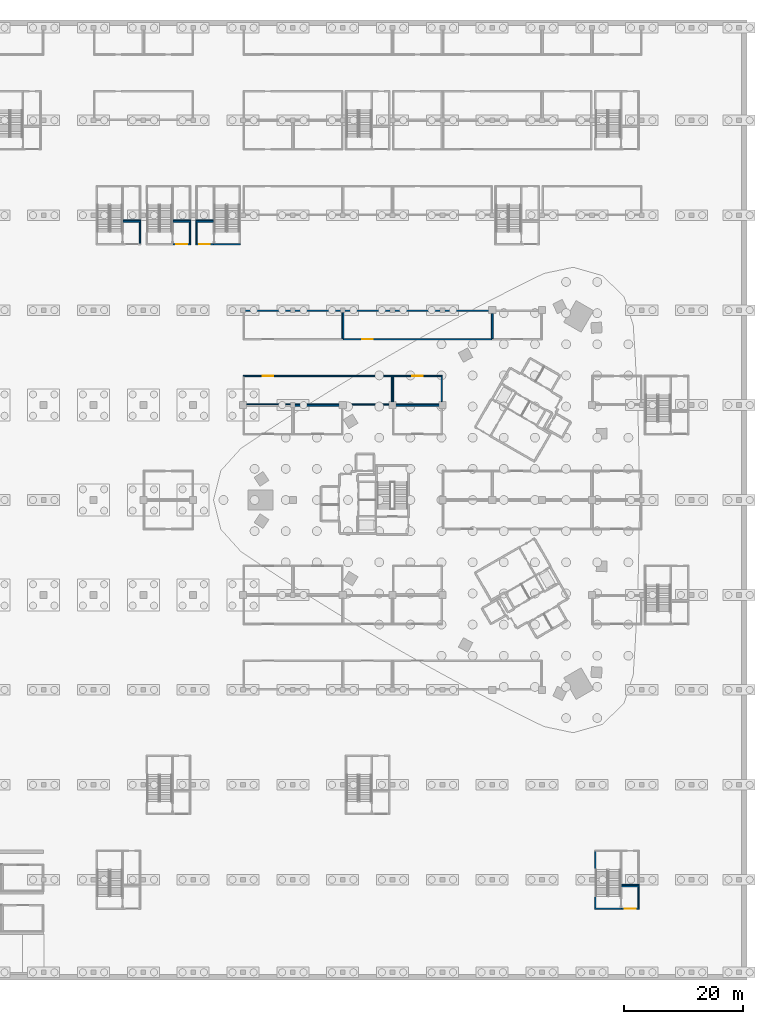
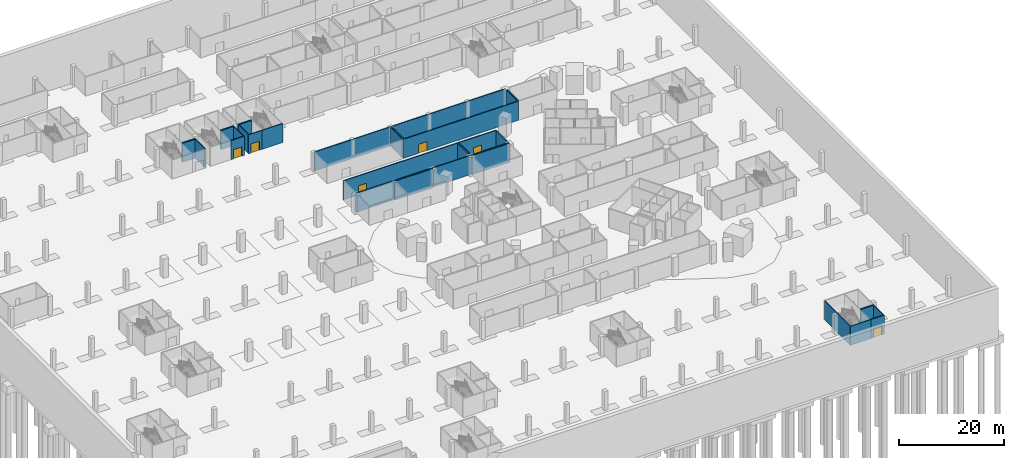
# One storey, part 15 of 46: 34 walls, 6 doors, 6 openings.
"""IFC4 building model written with IfcOpenShell, lengths in metres."""

from ifc_helpers import new_model, si_unit, direction, frame, frame_2d, origin, place, context, subcontext, project, spatial, rectangle, extrude, material, layer, layer_set, type_object, element, fill, save


model = new_model("IFC4")

# Units and contexts
model_context = context("Model", 3, precision=1e-05, world=origin(), true_north=direction((0.0, 1.0)))
body_context = subcontext(model_context, "Body", "Model", "MODEL_VIEW")
ifc_project = project(units=[si_unit("LENGTHUNIT", "METRE"), si_unit("AREAUNIT", "SQUARE_METRE"), si_unit("VOLUMEUNIT", "CUBIC_METRE"), si_unit("PLANEANGLEUNIT", "RADIAN"), si_unit("MASSUNIT", "GRAM", prefix="KILO")], contexts=[model_context])

# Site, building, storey
site_placement = place(None, origin())
site = spatial("IfcSite", under=ifc_project, at=site_placement, CompositionType="ELEMENT")
building_placement = place(site_placement, origin())
building = spatial("IfcBuilding", under=site, at=building_placement, Name="Tamra Quay Hotel Tower", CompositionType="ELEMENT")
storey_placement = place(building_placement, frame((0.0, 0.0, -12.0)))
storey = spatial("IfcBuildingStorey", under=building, at=storey_placement, Name="B3", CompositionType="ELEMENT", Elevation=-12.0)

# Walls
ifc_material_1 = material(Name="Blockwork", Category="masonry")
ifc_layer_1 = layer(ifc_material_1, 0.199951171875)
ifc_layer_set_1 = layer_set([ifc_layer_1], Name="Car park room wall 200")
wall_type_1 = type_object("IfcWallType", Name="Car park room wall 200", PredefinedType="PARTITIONING", material=ifc_layer_set_1)
wall_1_placement = place(storey_placement, frame((-30.300048828125, 15.89990234375, 0.0), z_axis=(0.0, 0.0, 1.0), x_axis=(1.0, 0.0, 0.0)))
element("IfcWall", 1, at=wall_1_placement, inside=storey, type_object=wall_type_1, Name="PW", PredefinedType="PARTITIONING", context=body_context, shape_type="SweptSolid", body=[
    extrude(rectangle(XDim=8.400146484375, YDim=0.199951171875, at=frame_2d((4.2001953125, 0.0))), origin(), (0.0, 0.0, 1.0), 4.39990234375),
])
wall_2_placement = place(storey_placement, frame((-13.5, 15.89990234375, 0.0), z_axis=(0.0, 0.0, 1.0), x_axis=(1.0, 0.0, 0.0)))
element("IfcWall", 2, at=wall_2_placement, inside=storey, type_object=wall_type_1, Name="PW", PredefinedType="PARTITIONING", context=body_context, shape_type="SweptSolid", body=[
    extrude(rectangle(XDim=8.39990234375, YDim=0.199951171875, at=frame_2d((4.199951171875, 0.0))), origin(), (0.0, 0.0, 1.0), 4.39990234375),
])
wall_3_placement = place(storey_placement, frame((-38.699951171875, 16.10009765625, 0.0), z_axis=(0.0, 0.0, 1.0), x_axis=(1.0, 0.0, 0.0)))
element("IfcWall", 3, at=wall_3_placement, inside=storey, type_object=wall_type_1, Name="PW", PredefinedType="PARTITIONING", context=body_context, shape_type="SweptSolid", body=[
    extrude(rectangle(XDim=25.199951171875, YDim=0.199951171875, at=frame_2d((12.60009765625, 0.0))), origin(), (0.0, 0.0, 1.0), 4.39990234375),
])

# Wall, opening, door
wall_4_placement = place(storey_placement, frame((-38.699951171875, 20.89990234375, 0.0), z_axis=(0.0, 0.0, 1.0), x_axis=(1.0, 0.0, 0.0)))
wall_4 = element("IfcWall", 4, at=wall_4_placement, inside=storey, type_object=wall_type_1, Name="PW", PredefinedType="PARTITIONING", context=body_context, shape_type="SweptSolid", body=[
    extrude(rectangle(XDim=25.199951171875, YDim=0.199951171875, at=frame_2d((12.60009765625, 0.0))), origin(), (0.0, 0.0, 1.0), 4.39990234375),
])
opening_1_placement = place(wall_4_placement, frame((3.300048828125, 0.0, 0.0)))
opening_1 = element("IfcOpeningElement", 5, at=opening_1_placement, cuts=wall_4, Name="Opening PD2", PredefinedType="OPENING", context=body_context, shape_type="SweptSolid", body=[
    extrude(rectangle(XDim=1.800048828125, YDim=2.10009765625, at=frame_2d((0.89990234375, 1.050048828125))), frame((0.0, 0.10986328125, 0.0), z_axis=(0.0, -1.0, 0.0), x_axis=(1.0, 0.0, 0.0)), (0.0, 0.0, 1.0), 0.219970703125),
])
ifc_material_2 = material(Name="Plant door 1800 x 2100")
door_type = type_object("IfcDoorType", Name="Plant door 1800 x 2100", OperationType="DOUBLE_DOOR_SINGLE_SWING", PredefinedType="DOOR", material=ifc_material_2)
door_1_placement = place(opening_1_placement, origin())
door_1 = element("IfcDoor", 6, at=door_1_placement, inside=storey, type_object=door_type, Name="PD2", OperationType="DOUBLE_DOOR_SINGLE_SWING", OverallHeight=2.10009765625, OverallWidth=1.800048828125, PredefinedType="DOOR", context=body_context, shape_type="SweptSolid", body=[
    extrude(rectangle(XDim=1.800048828125, YDim=2.10009765625, at=frame_2d((0.89990234375, 1.050048828125))), frame((0.0, 0.02490234375, 0.0), z_axis=(0.0, -1.0, 0.0), x_axis=(1.0, 0.0, 0.0)), (0.0, 0.0, 1.0), 0.050048828125),
])
fill(opening_1, door_1)

# Walls
wall_5_placement = place(storey_placement, frame((-13.60009765625, 16.60009765625, 0.0), z_axis=(0.0, 0.0, 1.0), x_axis=(0.0, 1.0, 0.0)))
element("IfcWall", 7, at=wall_5_placement, inside=storey, type_object=wall_type_1, Name="PW", PredefinedType="PARTITIONING", context=body_context, shape_type="SweptSolid", body=[
    extrude(rectangle(XDim=4.199951171875, YDim=0.199951171875, at=frame_2d((2.10009765625, 0.0))), origin(), (0.0, 0.0, 1.0), 4.39990234375),
])
wall_6_placement = place(storey_placement, frame((-13.5, 16.10009765625, 0.0), z_axis=(0.0, 0.0, 1.0), x_axis=(1.0, 0.0, 0.0)))
element("IfcWall", 8, at=wall_6_placement, inside=storey, type_object=wall_type_1, Name="PW", PredefinedType="PARTITIONING", context=body_context, shape_type="SweptSolid", body=[
    extrude(rectangle(XDim=8.39990234375, YDim=0.199951171875, at=frame_2d((4.199951171875, 0.0))), origin(), (0.0, 0.0, 1.0), 4.39990234375),
])

# Wall, opening, door
wall_7_placement = place(storey_placement, frame((-13.5, 20.89990234375, 0.0), z_axis=(0.0, 0.0, 1.0), x_axis=(1.0, 0.0, 0.0)))
wall_7 = element("IfcWall", 9, at=wall_7_placement, inside=storey, type_object=wall_type_1, Name="PW", PredefinedType="PARTITIONING", context=body_context, shape_type="SweptSolid", body=[
    extrude(rectangle(XDim=8.39990234375, YDim=0.199951171875, at=frame_2d((4.199951171875, 0.0))), origin(), (0.0, 0.0, 1.0), 4.39990234375),
])
opening_2_placement = place(wall_7_placement, frame((3.300048828125, 0.0, 0.0)))
opening_2 = element("IfcOpeningElement", 10, at=opening_2_placement, cuts=wall_7, Name="Opening PD2", PredefinedType="OPENING", context=body_context, shape_type="SweptSolid", body=[
    extrude(rectangle(XDim=1.800048828125, YDim=2.10009765625, at=frame_2d((0.89990234375, 1.050048828125))), frame((0.0, 0.10986328125, 0.0), z_axis=(0.0, -1.0, 0.0), x_axis=(1.0, 0.0, 0.0)), (0.0, 0.0, 1.0), 0.219970703125),
])
door_2_placement = place(opening_2_placement, origin())
door_2 = element("IfcDoor", 11, at=door_2_placement, inside=storey, type_object=door_type, Name="PD2", OperationType="DOUBLE_DOOR_SINGLE_SWING", OverallHeight=2.10009765625, OverallWidth=1.800048828125, PredefinedType="DOOR", context=body_context, shape_type="SweptSolid", body=[
    extrude(rectangle(XDim=1.800048828125, YDim=2.10009765625, at=frame_2d((0.89990234375, 1.050048828125))), frame((0.0, 0.02490234375, 0.0), z_axis=(0.0, -1.0, 0.0), x_axis=(1.0, 0.0, 0.0)), (0.0, 0.0, 1.0), 0.050048828125),
])
fill(opening_2, door_2)

# Walls
for number, where, z_axis, x_axis, name in (
    (12, (-13.39990234375, 16.60009765625, 0.0), (0.0, 0.0, 1.0), (0.0, 1.0, 0.0), "PW"),
    (13, (-5.199951171875, 16.60009765625, 0.0), (0.0, 0.0, 1.0), (0.0, 1.0, 0.0), "PW"),
):
    element("IfcWall", number, at=place(storey_placement, frame(where, z_axis=z_axis, x_axis=x_axis)), inside=storey, type_object=wall_type_1, Name=name, PredefinedType="PARTITIONING", context=body_context, shape_type="SweptSolid", body=[
        extrude(rectangle(XDim=4.199951171875, YDim=0.199951171875, at=frame_2d((2.10009765625, 0.0))), origin(), (0.0, 0.0, 1.0), 4.39990234375),
    ])
wall_8_placement = place(storey_placement, frame((-38.699951171875, 31.89990234375, 0.0), z_axis=(0.0, 0.0, 1.0), x_axis=(1.0, 0.0, 0.0)))
element("IfcWall", 14, at=wall_8_placement, inside=storey, type_object=wall_type_1, Name="PW", PredefinedType="PARTITIONING", context=body_context, shape_type="SweptSolid", body=[
    extrude(rectangle(XDim=16.800048828125, YDim=0.199951171875, at=frame_2d((8.39990234375, 0.0))), origin(), (0.0, 0.0, 1.0), 4.39990234375),
])
wall_9_placement = place(storey_placement, frame((-22.0, 27.199951171875, 0.0), z_axis=(0.0, 0.0, 1.0), x_axis=(0.0, 1.0, 0.0)))
element("IfcWall", 15, at=wall_9_placement, inside=storey, type_object=wall_type_1, Name="PW", PredefinedType="PARTITIONING", context=body_context, shape_type="SweptSolid", body=[
    extrude(rectangle(XDim=4.400146484375, YDim=0.199951171875, at=frame_2d((2.2001953125, 0.0))), origin(), (0.0, 0.0, 1.0), 4.39990234375),
])

# Wall, opening, door
wall_10_placement = place(storey_placement, frame((-21.89990234375, 27.10009765625, 0.0), z_axis=(0.0, 0.0, 1.0), x_axis=(1.0, 0.0, 0.0)))
wall_10 = element("IfcWall", 16, at=wall_10_placement, inside=storey, type_object=wall_type_1, Name="PW", PredefinedType="PARTITIONING", context=body_context, shape_type="SweptSolid", body=[
    extrude(rectangle(XDim=25.199951171875, YDim=0.199951171875, at=frame_2d((12.60009765625, 0.0))), origin(), (0.0, 0.0, 1.0), 4.39990234375),
])
opening_3_placement = place(wall_10_placement, frame((3.300048828125, 0.0, 0.0)))
opening_3 = element("IfcOpeningElement", 17, at=opening_3_placement, cuts=wall_10, Name="Opening PD2", PredefinedType="OPENING", context=body_context, shape_type="SweptSolid", body=[
    extrude(rectangle(XDim=1.800048828125, YDim=2.10009765625, at=frame_2d((0.89990234375, 1.050048828125))), frame((0.0, 0.10986328125, 0.0), z_axis=(0.0, -1.0, 0.0), x_axis=(1.0, 0.0, 0.0)), (0.0, 0.0, 1.0), 0.219970703125),
])
door_3_placement = place(opening_3_placement, origin())
door_3 = element("IfcDoor", 18, at=door_3_placement, inside=storey, type_object=door_type, Name="PD2", OperationType="DOUBLE_DOOR_SINGLE_SWING", OverallHeight=2.10009765625, OverallWidth=1.800048828125, PredefinedType="DOOR", context=body_context, shape_type="SweptSolid", body=[
    extrude(rectangle(XDim=1.800048828125, YDim=2.10009765625, at=frame_2d((0.89990234375, 1.050048828125))), frame((0.0, 0.02490234375, 0.0), z_axis=(0.0, -1.0, 0.0), x_axis=(1.0, 0.0, 0.0)), (0.0, 0.0, 1.0), 0.050048828125),
])
fill(opening_3, door_3)

# Walls
wall_11_placement = place(storey_placement, frame((-21.89990234375, 31.89990234375, 0.0), z_axis=(0.0, 0.0, 1.0), x_axis=(1.0, 0.0, 0.0)))
element("IfcWall", 19, at=wall_11_placement, inside=storey, type_object=wall_type_1, Name="PW", PredefinedType="PARTITIONING", context=body_context, shape_type="SweptSolid", body=[
    extrude(rectangle(XDim=25.199951171875, YDim=0.199951171875, at=frame_2d((12.60009765625, 0.0))), origin(), (0.0, 0.0, 1.0), 4.39990234375),
])
wall_12_placement = place(storey_placement, frame((-21.800048828125, 27.199951171875, 0.0), z_axis=(0.0, 0.0, 1.0), x_axis=(0.0, 1.0, 0.0)))
element("IfcWall", 20, at=wall_12_placement, inside=storey, type_object=wall_type_1, Name="PW", PredefinedType="PARTITIONING", context=body_context, shape_type="SweptSolid", body=[
    extrude(rectangle(XDim=4.400146484375, YDim=0.199951171875, at=frame_2d((2.2001953125, 0.0))), origin(), (0.0, 0.0, 1.0), 4.39990234375),
])
for number, where, z_axis, x_axis, name in (
    (21, (3.199951171875, 27.199951171875, 0.0), (0.0, 0.0, 1.0), (0.0, 1.0, 0.0), "PW"),
    (22, (3.39990234375, 27.199951171875, 0.0), (0.0, 0.0, 1.0), (0.0, 1.0, 0.0), "PW"),
):
    element("IfcWall", number, at=place(storey_placement, frame(where, z_axis=z_axis, x_axis=x_axis)), inside=storey, type_object=wall_type_1, Name=name, PredefinedType="PARTITIONING", context=body_context, shape_type="SweptSolid", body=[
        extrude(rectangle(XDim=4.199951171875, YDim=0.199951171875, at=frame_2d((2.10009765625, 0.0))), origin(), (0.0, 0.0, 1.0), 4.39990234375),
    ])
wall_13_placement = place(storey_placement, frame((-58.89990234375, 46.89990234375, 0.0), z_axis=(0.0, 0.0, 1.0), x_axis=(1.0, 0.0, 0.0)))
element("IfcWall", 23, at=wall_13_placement, inside=storey, type_object=wall_type_1, Name="PW", PredefinedType="PARTITIONING", context=body_context, shape_type="SweptSolid", body=[
    extrude(rectangle(XDim=2.949951171875, YDim=0.199951171875, at=frame_2d((1.47509765625, 0.0))), origin(), (0.0, 0.0, 1.0), 4.39990234375),
])
wall_14_placement = place(storey_placement, frame((-56.050048828125, 43.199951171875, 0.0), z_axis=(0.0, 0.0, 1.0), x_axis=(0.0, 1.0, 0.0)))
element("IfcWall", 24, at=wall_14_placement, inside=storey, type_object=wall_type_1, Name="PW", PredefinedType="PARTITIONING", context=body_context, shape_type="SweptSolid", body=[
    extrude(rectangle(XDim=3.60009765625, YDim=0.199951171875, at=frame_2d((1.800048828125, 0.0))), origin(), (0.0, 0.0, 1.0), 4.39990234375),
])
wall_15_placement = place(storey_placement, frame((-58.89990234375, 47.10009765625, 0.0), z_axis=(0.0, 0.0, 1.0), x_axis=(1.0, 0.0, 0.0)))
element("IfcWall", 25, at=wall_15_placement, inside=storey, type_object=wall_type_1, Name="PW", PredefinedType="PARTITIONING", context=body_context, shape_type="SweptSolid", body=[
    extrude(rectangle(XDim=2.949951171875, YDim=0.199951171875, at=frame_2d((1.47509765625, 0.0))), origin(), (0.0, 0.0, 1.0), 4.39990234375),
])

# Wall, opening, door
wall_16_placement = place(storey_placement, frame((-50.5, 43.10009765625, 0.0), z_axis=(0.0, 0.0, 1.0), x_axis=(1.0, 0.0, 0.0)))
wall_16 = element("IfcWall", 26, at=wall_16_placement, inside=storey, type_object=wall_type_1, Name="PW", PredefinedType="PARTITIONING", context=body_context, shape_type="SweptSolid", body=[
    extrude(rectangle(XDim=2.949951171875, YDim=0.199951171875, at=frame_2d((1.47509765625, 0.0))), origin(), (0.0, 0.0, 1.0), 4.39990234375),
])
opening_4_placement = place(wall_16_placement, frame((0.574951171875, 0.0, 0.0)))
opening_4 = element("IfcOpeningElement", 27, at=opening_4_placement, cuts=wall_16, Name="Opening PD2", PredefinedType="OPENING", context=body_context, shape_type="SweptSolid", body=[
    extrude(rectangle(XDim=1.800048828125, YDim=2.10009765625, at=frame_2d((0.89990234375, 1.050048828125))), frame((0.0, 0.10986328125, 0.0), z_axis=(0.0, -1.0, 0.0), x_axis=(1.0, 0.0, 0.0)), (0.0, 0.0, 1.0), 0.219970703125),
])
door_4_placement = place(opening_4_placement, origin())
door_4 = element("IfcDoor", 28, at=door_4_placement, inside=storey, type_object=door_type, Name="PD2", OperationType="DOUBLE_DOOR_SINGLE_SWING", OverallHeight=2.10009765625, OverallWidth=1.800048828125, PredefinedType="DOOR", context=body_context, shape_type="SweptSolid", body=[
    extrude(rectangle(XDim=1.800048828125, YDim=2.10009765625, at=frame_2d((0.89990234375, 1.050048828125))), frame((0.0, 0.02490234375, 0.0), z_axis=(0.0, -1.0, 0.0), x_axis=(1.0, 0.0, 0.0)), (0.0, 0.0, 1.0), 0.050048828125),
])
fill(opening_4, door_4)

# Walls
wall_17_placement = place(storey_placement, frame((-50.5, 46.89990234375, 0.0), z_axis=(0.0, 0.0, 1.0), x_axis=(1.0, 0.0, 0.0)))
element("IfcWall", 29, at=wall_17_placement, inside=storey, type_object=wall_type_1, Name="PW", PredefinedType="PARTITIONING", context=body_context, shape_type="SweptSolid", body=[
    extrude(rectangle(XDim=2.949951171875, YDim=0.199951171875, at=frame_2d((1.47509765625, 0.0))), origin(), (0.0, 0.0, 1.0), 4.39990234375),
])
wall_18_placement = place(storey_placement, frame((-47.64990234375, 43.199951171875, 0.0), z_axis=(0.0, 0.0, 1.0), x_axis=(0.0, 1.0, 0.0)))
element("IfcWall", 30, at=wall_18_placement, inside=storey, type_object=wall_type_1, Name="PW", PredefinedType="PARTITIONING", context=body_context, shape_type="SweptSolid", body=[
    extrude(rectangle(XDim=3.60009765625, YDim=0.199951171875, at=frame_2d((1.800048828125, 0.0))), origin(), (0.0, 0.0, 1.0), 4.39990234375),
])
wall_19_placement = place(storey_placement, frame((-50.5, 47.10009765625, 0.0), z_axis=(0.0, 0.0, 1.0), x_axis=(1.0, 0.0, 0.0)))
element("IfcWall", 31, at=wall_19_placement, inside=storey, type_object=wall_type_1, Name="PW", PredefinedType="PARTITIONING", context=body_context, shape_type="SweptSolid", body=[
    extrude(rectangle(XDim=2.949951171875, YDim=0.199951171875, at=frame_2d((1.47509765625, 0.0))), origin(), (0.0, 0.0, 1.0), 4.39990234375),
])

# Wall, opening, door
wall_20_placement = place(storey_placement, frame((25.10009765625, -68.89990234375, 0.0), z_axis=(0.0, 0.0, 1.0), x_axis=(1.0, 0.0, 0.0)))
wall_20 = element("IfcWall", 32, at=wall_20_placement, inside=storey, type_object=wall_type_1, Name="PW", PredefinedType="PARTITIONING", context=body_context, shape_type="SweptSolid", body=[
    extrude(rectangle(XDim=2.949951171875, YDim=0.199951171875, at=frame_2d((1.47509765625, 0.0))), origin(), (0.0, 0.0, 1.0), 4.39990234375),
])
opening_5_placement = place(wall_20_placement, frame((0.574951171875, 0.0, 0.0)))
opening_5 = element("IfcOpeningElement", 33, at=opening_5_placement, cuts=wall_20, Name="Opening PD2", PredefinedType="OPENING", context=body_context, shape_type="SweptSolid", body=[
    extrude(rectangle(XDim=1.800048828125, YDim=2.10009765625, at=frame_2d((0.89990234375, 1.050048828125))), frame((0.0, 0.10986328125, 0.0), z_axis=(0.0, -1.0, 0.0), x_axis=(1.0, 0.0, 0.0)), (0.0, 0.0, 1.0), 0.219970703125),
])
door_5_placement = place(opening_5_placement, origin())
door_5 = element("IfcDoor", 34, at=door_5_placement, inside=storey, type_object=door_type, Name="PD2", OperationType="DOUBLE_DOOR_SINGLE_SWING", OverallHeight=2.10009765625, OverallWidth=1.800048828125, PredefinedType="DOOR", context=body_context, shape_type="SweptSolid", body=[
    extrude(rectangle(XDim=1.800048828125, YDim=2.10009765625, at=frame_2d((0.89990234375, 1.050048828125))), frame((0.0, 0.02490234375, 0.0), z_axis=(0.0, -1.0, 0.0), x_axis=(1.0, 0.0, 0.0)), (0.0, 0.0, 1.0), 0.050048828125),
])
fill(opening_5, door_5)

# Walls
wall_21_placement = place(storey_placement, frame((25.10009765625, -65.10009765625, 0.0), z_axis=(0.0, 0.0, 1.0), x_axis=(1.0, 0.0, 0.0)))
element("IfcWall", 35, at=wall_21_placement, inside=storey, type_object=wall_type_1, Name="PW", PredefinedType="PARTITIONING", context=body_context, shape_type="SweptSolid", body=[
    extrude(rectangle(XDim=2.949951171875, YDim=0.199951171875, at=frame_2d((1.47509765625, 0.0))), origin(), (0.0, 0.0, 1.0), 4.39990234375),
])
wall_22_placement = place(storey_placement, frame((27.949951171875, -68.800048828125, 0.0), z_axis=(0.0, 0.0, 1.0), x_axis=(0.0, 1.0, 0.0)))
element("IfcWall", 36, at=wall_22_placement, inside=storey, type_object=wall_type_1, Name="PW", PredefinedType="PARTITIONING", context=body_context, shape_type="SweptSolid", body=[
    extrude(rectangle(XDim=3.60009765625, YDim=0.199951171875, at=frame_2d((1.800048828125, 0.0))), origin(), (0.0, 0.0, 1.0), 4.39990234375),
])
wall_23_placement = place(storey_placement, frame((25.10009765625, -64.89990234375, 0.0), z_axis=(0.0, 0.0, 1.0), x_axis=(1.0, 0.0, 0.0)))
element("IfcWall", 37, at=wall_23_placement, inside=storey, type_object=wall_type_1, Name="PW", PredefinedType="PARTITIONING", context=body_context, shape_type="SweptSolid", body=[
    extrude(rectangle(XDim=2.949951171875, YDim=0.199951171875, at=frame_2d((1.47509765625, 0.0))), origin(), (0.0, 0.0, 1.0), 4.39990234375),
])

# Wall, opening, door
wall_24_placement = place(storey_placement, frame((-46.64990234375, 43.10009765625, 0.0), z_axis=(0.0, 0.0, 1.0), x_axis=(1.0, 0.0, 0.0)))
wall_24 = element("IfcWall", 38, at=wall_24_placement, inside=storey, type_object=wall_type_1, Name="PW", PredefinedType="PARTITIONING", context=body_context, shape_type="SweptSolid", body=[
    extrude(rectangle(XDim=2.949951171875, YDim=0.199951171875, at=frame_2d((1.47509765625, 0.0))), origin(), (0.0, 0.0, 1.0), 4.39990234375),
])
opening_6_placement = place(wall_24_placement, frame((0.574951171875, 0.0, 0.0)))
opening_6 = element("IfcOpeningElement", 39, at=opening_6_placement, cuts=wall_24, Name="Opening PD2", PredefinedType="OPENING", context=body_context, shape_type="SweptSolid", body=[
    extrude(rectangle(XDim=1.800048828125, YDim=2.10009765625, at=frame_2d((0.89990234375, 1.050048828125))), frame((0.0, 0.10986328125, 0.0), z_axis=(0.0, -1.0, 0.0), x_axis=(1.0, 0.0, 0.0)), (0.0, 0.0, 1.0), 0.219970703125),
])
door_6_placement = place(opening_6_placement, origin())
door_6 = element("IfcDoor", 40, at=door_6_placement, inside=storey, type_object=door_type, Name="PD2", OperationType="DOUBLE_DOOR_SINGLE_SWING", OverallHeight=2.10009765625, OverallWidth=1.800048828125, PredefinedType="DOOR", context=body_context, shape_type="SweptSolid", body=[
    extrude(rectangle(XDim=1.800048828125, YDim=2.10009765625, at=frame_2d((0.89990234375, 1.050048828125))), frame((0.0, 0.02490234375, 0.0), z_axis=(0.0, -1.0, 0.0), x_axis=(1.0, 0.0, 0.0)), (0.0, 0.0, 1.0), 0.050048828125),
])
fill(opening_6, door_6)

# Walls
wall_25_placement = place(storey_placement, frame((-46.64990234375, 46.89990234375, 0.0), z_axis=(0.0, 0.0, 1.0), x_axis=(1.0, 0.0, 0.0)))
element("IfcWall", 41, at=wall_25_placement, inside=storey, type_object=wall_type_1, Name="PW", PredefinedType="PARTITIONING", context=body_context, shape_type="SweptSolid", body=[
    extrude(rectangle(XDim=2.949951171875, YDim=0.199951171875, at=frame_2d((1.47509765625, 0.0))), origin(), (0.0, 0.0, 1.0), 4.39990234375),
])
wall_26_placement = place(storey_placement, frame((-46.550048828125, 43.199951171875, 0.0), z_axis=(0.0, 0.0, 1.0), x_axis=(0.0, 1.0, 0.0)))
element("IfcWall", 42, at=wall_26_placement, inside=storey, type_object=wall_type_1, Name="PW", PredefinedType="PARTITIONING", context=body_context, shape_type="SweptSolid", body=[
    extrude(rectangle(XDim=3.60009765625, YDim=0.199951171875, at=frame_2d((1.800048828125, 0.0))), origin(), (0.0, 0.0, 1.0), 4.39990234375),
])
wall_27_placement = place(storey_placement, frame((-46.64990234375, 47.10009765625, 0.0), z_axis=(0.0, 0.0, 1.0), x_axis=(1.0, 0.0, 0.0)))
element("IfcWall", 43, at=wall_27_placement, inside=storey, type_object=wall_type_1, Name="PW", PredefinedType="PARTITIONING", context=body_context, shape_type="SweptSolid", body=[
    extrude(rectangle(XDim=2.949951171875, YDim=0.199951171875, at=frame_2d((1.47509765625, 0.0))), origin(), (0.0, 0.0, 1.0), 4.39990234375),
])
ifc_material_3 = material(Name="Concrete M70", Category="concrete")
ifc_layer_2 = layer(ifc_material_3, 0.199951171875)
ifc_layer_set_2 = layer_set([ifc_layer_2], Name="Concrete M70 stair enclosure wall 200")
wall_type_2 = type_object("IfcWallType", Name="Concrete M70 stair enclosure wall 200", PredefinedType="SOLIDWALL", material=ifc_layer_set_2)
wall_28_placement = place(storey_placement, frame((20.64990234375, -68.800048828125, 0.0), z_axis=(0.0, 0.0, 1.0), x_axis=(0.0, 1.0, 0.0)))
element("IfcWall", 44, at=wall_28_placement, inside=storey, type_object=wall_type_2, Name="SEW", PredefinedType="SOLIDWALL", context=body_context, shape_type="SweptSolid", body=[
    extrude(rectangle(XDim=9.60009765625, YDim=0.199951171875, at=frame_2d((4.800048828125, 0.0))), origin(), (0.0, 0.0, 1.0), 4.39990234375),
])
for number, where, z_axis, x_axis, name in (
    (45, (25.10009765625, -68.89990234375, 0.0), (0.0, 0.0, 1.0), (-1.0, 0.0, 0.0), "SEW"),
    (46, (-39.14990234375, 43.10009765625, 0.0), (0.0, 0.0, 1.0), (-1.0, 0.0, 0.0), "SEW"),
):
    element("IfcWall", number, at=place(storey_placement, frame(where, z_axis=z_axis, x_axis=x_axis)), inside=storey, type_object=wall_type_2, Name=name, PredefinedType="SOLIDWALL", context=body_context, shape_type="SweptSolid", body=[
        extrude(rectangle(XDim=4.550048828125, YDim=0.199951171875, at=frame_2d((2.27490234375, 0.0))), origin(), (0.0, 0.0, 1.0), 4.39990234375),
    ])

save(model, "model.ifc")
